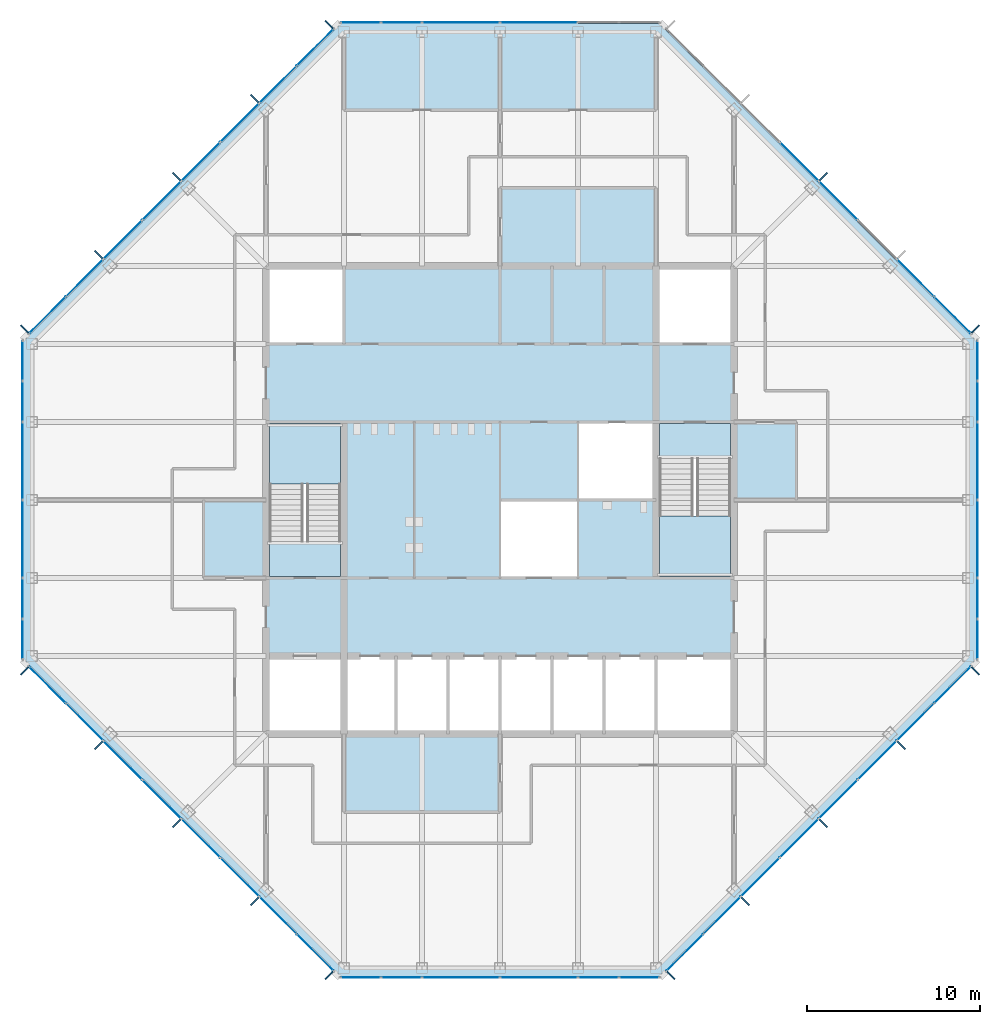
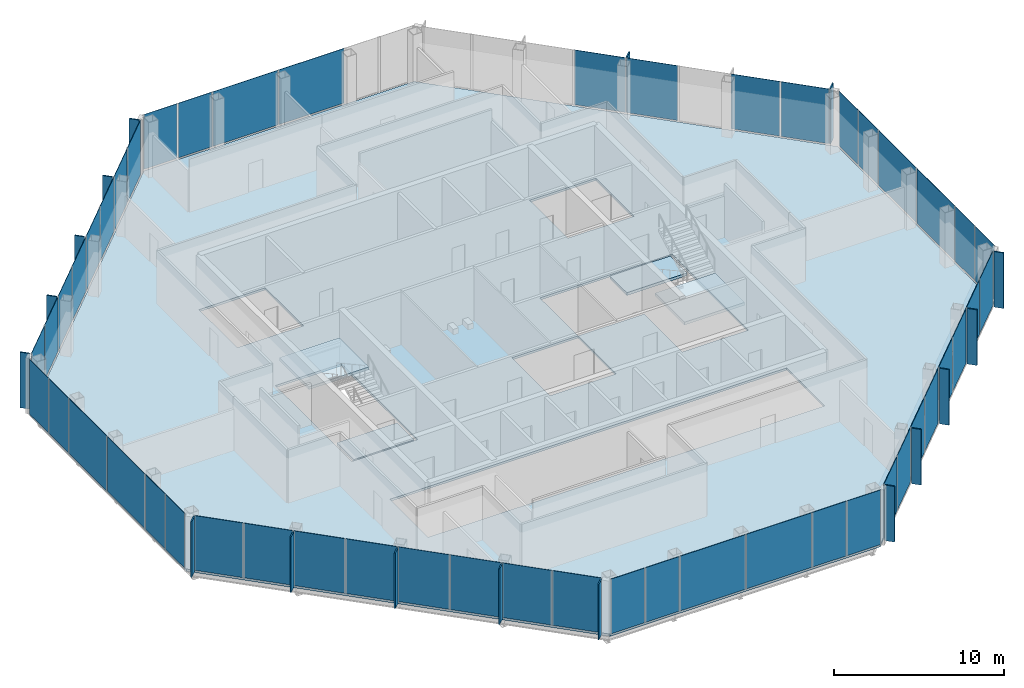
# One storey, part 8 of 13: 67 plates, 5 slabs, 10 elements without a shape of their own.
"""IFC4 building model written with IfcOpenShell, lengths in metres."""

from ifc_helpers import new_model, si_unit, direction, frame, origin, origin_2d, place, context, subcontext, project, spatial, polyline, rectangle, outline, extrude, material, layer, layer_set, type_object, element, aggregate, save


model = new_model("IFC4")

# Units and contexts
model_context = context("Model", 3, precision=1e-05, world=origin(), true_north=direction((0.0, 1.0)))
body_context = subcontext(model_context, "Body", "Model", "MODEL_VIEW")
ifc_project = project(units=[si_unit("LENGTHUNIT", "METRE"), si_unit("AREAUNIT", "SQUARE_METRE"), si_unit("VOLUMEUNIT", "CUBIC_METRE"), si_unit("PLANEANGLEUNIT", "RADIAN"), si_unit("MASSUNIT", "GRAM", prefix="KILO")], contexts=[model_context])

# Site, building, storey
site_placement = place(None, origin())
site = spatial("IfcSite", under=ifc_project, at=site_placement, CompositionType="ELEMENT")
building_placement = place(site_placement, origin())
building = spatial("IfcBuilding", under=site, at=building_placement, Name="Corais Broadcast Tower", CompositionType="ELEMENT")
storey_placement = place(building_placement, frame((0.0, 0.0, 238.60009765625)))
storey = spatial("IfcBuildingStorey", under=building, at=storey_placement, Name="L55", CompositionType="ELEMENT", Elevation=238.60009765625)

# Slab
ifc_material_1 = material(Name="Concrete C30/37", Category="concrete")
ifc_layer_1 = layer(ifc_material_1, 0.159912109375)
ifc_layer_set_1 = layer_set([ifc_layer_1], Name="Concrete C30/37")
slab_type_1 = type_object("IfcSlabType", Name="Composite floor slab 160", PredefinedType="FLOOR", material=ifc_layer_set_1)
slab_1_placement = place(storey_placement, frame((0.0, 0.0, -0.16015625)))
element("IfcSlab", 1, at=slab_1_placement, inside=storey, type_object=slab_type_1, Name="S160 floor slab L55", PredefinedType="FLOOR", context=body_context, shape_type="SweptSolid", body=[
    extrude(outline(polyline([(17.80126953125, -0.47998046875), (-0.47998046875, 17.80126953125), (-0.47998046875, 36.19873046875), (17.80126953125, 54.47998046875), (36.19873046875, 54.47998046875), (54.47998046875, 36.19873046875), (54.47998046875, 17.80126953125), (36.19873046875, -0.47998046875), (17.80126953125, -0.47998046875)]), holes=[polyline([(13.5, 18.0), (40.5, 18.0), (40.5, 13.5), (13.5, 13.5), (13.5, 18.0)]), polyline([(18.0, 22.5), (13.5, 22.5), (13.5, 31.5), (18.0, 31.5), (18.0, 22.5)]), polyline([(18.0, 36.0), (13.5, 36.0), (13.5, 40.5), (18.0, 40.5), (18.0, 36.0)]), polyline([(31.5, 22.5), (27.0, 22.5), (27.0, 27.0), (31.4951171875, 27.0), (31.4951171875, 27.0048828125), (31.5, 27.0048828125), (31.5, 31.5), (40.5, 31.5), (40.5, 22.5), (36.0, 22.5), (36.0, 27.0), (31.5048828125, 27.0), (31.5048828125, 26.9951171875), (31.5, 26.9951171875), (31.5, 22.5)]), polyline([(40.5, 36.0), (36.0, 36.0), (36.0, 40.5), (40.5, 40.5), (40.5, 36.0)])]), origin(), (0.0, 0.0, 1.0), 0.16015625),
])

# Curtain wall, plates
ifc_material_2 = material(Name="Aluminium and glass", Category="aluminium")
curtain_wall_type = type_object("IfcCurtainWallType", Name="Unitised fritted curtain wall CW3", PredefinedType="NOTDEFINED", material=ifc_material_2)
curtain_wall_1_placement = place(storey_placement, origin())
curtain_wall_1 = element("IfcCurtainWall", 2, at=curtain_wall_1_placement, inside=storey, type_object=curtain_wall_type, Name="CW3 curtain wall L55 1", PredefinedType="NOTDEFINED")
ifc_material_3 = material(Name="Ceramic-fritted laminated glass", Category="glass")
ifc_layer_2 = layer(ifc_material_3, 0.02587890625)
ifc_layer_set_2 = layer_set([ifc_layer_2], Name="Ceramic-fritted laminated glass")
plate_type_1 = type_object("IfcPlateType", Name="Fritted glass panel CW3", PredefinedType="CURTAIN_PANEL", material=ifc_layer_set_2)
plate_1_placement = place(storey_placement, frame((16.330322265625, 0.891845703125, 0.06494140625), z_axis=(0.0, 0.0, 1.0), x_axis=(-0.707106781187, 0.707106781187, 0.0)))
plate_1 = element("IfcPlate", 3, at=plate_1_placement, type_object=plate_type_1, Name="CW3 panel 1", PredefinedType="CURTAIN_PANEL", context=body_context, shape_type="SweptSolid", body=[
    extrude(rectangle(XDim=2.9482421875, YDim=0.02587890625, at=origin_2d()), origin(), (0.0, 0.0, 1.0), 3.93505859375),
])
plate_2_placement = place(storey_placement, frame((11.986083984375, 5.236083984375, 0.06494140625), z_axis=(0.0, 0.0, 1.0), x_axis=(-0.707106781187, 0.707106781187, 0.0)))
plate_2 = element("IfcPlate", 4, at=plate_2_placement, type_object=plate_type_1, Name="CW3 panel 3", PredefinedType="CURTAIN_PANEL", context=body_context, shape_type="SweptSolid", body=[
    extrude(rectangle(XDim=3.116943359375, YDim=0.02587890625, at=origin_2d()), origin(), (0.0, 0.0, 1.0), 3.93505859375),
])
plate_3_placement = place(storey_placement, frame((7.486083984375, 9.736083984375, 0.06494140625), z_axis=(0.0, 0.0, 1.0), x_axis=(-0.707106781187, 0.707106781187, 0.0)))
plate_3 = element("IfcPlate", 5, at=plate_3_placement, type_object=plate_type_1, Name="CW3 panel 5", PredefinedType="CURTAIN_PANEL", context=body_context, shape_type="SweptSolid", body=[
    extrude(rectangle(XDim=3.116943359375, YDim=0.02587890625, at=origin_2d()), origin(), (0.0, 0.0, 1.0), 3.93505859375),
])
plate_4_placement = place(storey_placement, frame((3.0341796875, 14.18798828125, 0.06494140625), z_axis=(0.0, 0.0, 1.0), x_axis=(-0.707106781187, 0.707106781187, 0.0)))
plate_4 = element("IfcPlate", 6, at=plate_4_placement, type_object=plate_type_1, Name="CW3 panel 7", PredefinedType="CURTAIN_PANEL", context=body_context, shape_type="SweptSolid", body=[
    extrude(rectangle(XDim=2.98095703125, YDim=0.02587890625, at=origin_2d()), origin(), (0.0, 0.0, 1.0), 3.93505859375),
])

curtain_wall_2_placement = place(storey_placement, origin())
curtain_wall_2 = element("IfcCurtainWall", 7, at=curtain_wall_2_placement, inside=storey, type_object=curtain_wall_type, Name="CW3 curtain wall L55 2", PredefinedType="NOTDEFINED")
plate_5_placement = place(storey_placement, frame((-0.550048828125, 18.970458984375, 0.06494140625), z_axis=(0.0, 0.0, 1.0), x_axis=(0.0, 1.0, 0.0)))
plate_5 = element("IfcPlate", 8, at=plate_5_placement, type_object=plate_type_1, Name="CW3 panel 1", PredefinedType="CURTAIN_PANEL", context=body_context, shape_type="SweptSolid", body=[
    extrude(rectangle(XDim=2.266357421875, YDim=0.02587890625, at=origin_2d()), origin(), (0.0, 0.0, 1.0), 3.93505859375),
])
plate_6_placement = place(storey_placement, frame((-0.550048828125, 24.75, 0.06494140625), z_axis=(0.0, 0.0, 1.0), x_axis=(0.0, 1.0, 0.0)))
plate_6 = element("IfcPlate", 9, at=plate_6_placement, type_object=plate_type_1, Name="CW3 panel 3", PredefinedType="CURTAIN_PANEL", context=body_context, shape_type="SweptSolid", body=[
    extrude(rectangle(XDim=4.43505859375, YDim=0.02587890625, at=origin_2d()), origin(), (0.0, 0.0, 1.0), 3.93505859375),
])
plate_7_placement = place(storey_placement, frame((-0.550048828125, 32.681884765625, 0.06494140625), z_axis=(0.0, 0.0, 1.0), x_axis=(0.0, 1.0, 0.0)))
plate_7 = element("IfcPlate", 10, at=plate_7_placement, type_object=plate_type_1, Name="CW3 panel 5", PredefinedType="CURTAIN_PANEL", context=body_context, shape_type="SweptSolid", body=[
    extrude(rectangle(XDim=2.298828125, YDim=0.02587890625, at=origin_2d()), origin(), (0.0, 0.0, 1.0), 3.93505859375),
])

curtain_wall_3_placement = place(storey_placement, origin())
curtain_wall_3 = element("IfcCurtainWall", 11, at=curtain_wall_3_placement, inside=storey, type_object=curtain_wall_type, Name="CW3 curtain wall L55 3", PredefinedType="NOTDEFINED")
plate_8_placement = place(storey_placement, frame((0.891845703125, 37.669677734375, 0.06494140625), z_axis=(0.0, 0.0, 1.0), x_axis=(0.707106781187, 0.707106781187, 0.0)))
plate_8 = element("IfcPlate", 12, at=plate_8_placement, type_object=plate_type_1, Name="CW3 panel 1", PredefinedType="CURTAIN_PANEL", context=body_context, shape_type="SweptSolid", body=[
    extrude(rectangle(XDim=2.9482421875, YDim=0.02587890625, at=origin_2d()), origin(), (0.0, 0.0, 1.0), 3.93505859375),
])
plate_9_placement = place(storey_placement, frame((5.236083984375, 42.013916015625, 0.06494140625), z_axis=(0.0, 0.0, 1.0), x_axis=(0.707106781187, 0.707106781187, 0.0)))
plate_9 = element("IfcPlate", 13, at=plate_9_placement, type_object=plate_type_1, Name="CW3 panel 3", PredefinedType="CURTAIN_PANEL", context=body_context, shape_type="SweptSolid", body=[
    extrude(rectangle(XDim=3.116943359375, YDim=0.02587890625, at=origin_2d()), origin(), (0.0, 0.0, 1.0), 3.93505859375),
])
plate_10_placement = place(storey_placement, frame((9.736083984375, 46.513916015625, 0.06494140625), z_axis=(0.0, 0.0, 1.0), x_axis=(0.707106781187, 0.707106781187, 0.0)))
plate_10 = element("IfcPlate", 14, at=plate_10_placement, type_object=plate_type_1, Name="CW3 panel 5", PredefinedType="CURTAIN_PANEL", context=body_context, shape_type="SweptSolid", body=[
    extrude(rectangle(XDim=3.116943359375, YDim=0.02587890625, at=origin_2d()), origin(), (0.0, 0.0, 1.0), 3.93505859375),
])
plate_11_placement = place(storey_placement, frame((14.18798828125, 50.9658203125, 0.06494140625), z_axis=(0.0, 0.0, 1.0), x_axis=(0.707106781187, 0.707106781187, 0.0)))
plate_11 = element("IfcPlate", 15, at=plate_11_placement, type_object=plate_type_1, Name="CW3 panel 7", PredefinedType="CURTAIN_PANEL", context=body_context, shape_type="SweptSolid", body=[
    extrude(rectangle(XDim=2.98095703125, YDim=0.02587890625, at=origin_2d()), origin(), (0.0, 0.0, 1.0), 3.93505859375),
])

curtain_wall_4_placement = place(storey_placement, origin())
curtain_wall_4 = element("IfcCurtainWall", 16, at=curtain_wall_4_placement, inside=storey, type_object=curtain_wall_type, Name="CW3 curtain wall L55 4", PredefinedType="NOTDEFINED")
plate_12_placement = place(storey_placement, frame((18.970458984375, 54.550048828125, 0.06494140625), z_axis=(0.0, 0.0, 1.0), x_axis=(1.0, 0.0, 0.0)))
plate_12 = element("IfcPlate", 17, at=plate_12_placement, type_object=plate_type_1, Name="CW3 panel 1", PredefinedType="CURTAIN_PANEL", context=body_context, shape_type="SweptSolid", body=[
    extrude(rectangle(XDim=2.266357421875, YDim=0.02587890625, at=origin_2d()), origin(), (0.0, 0.0, 1.0), 3.93505859375),
])
plate_13_placement = place(storey_placement, frame((24.75, 54.550048828125, 0.06494140625), z_axis=(0.0, 0.0, 1.0), x_axis=(1.0, 0.0, 0.0)))
plate_13 = element("IfcPlate", 18, at=plate_13_placement, type_object=plate_type_1, Name="CW3 panel 3", PredefinedType="CURTAIN_PANEL", context=body_context, shape_type="SweptSolid", body=[
    extrude(rectangle(XDim=4.43505859375, YDim=0.02587890625, at=origin_2d()), origin(), (0.0, 0.0, 1.0), 3.93505859375),
])

curtain_wall_5_placement = place(storey_placement, origin())
curtain_wall_5 = element("IfcCurtainWall", 19, at=curtain_wall_5_placement, inside=storey, type_object=curtain_wall_type, Name="CW3 curtain wall L55 5", PredefinedType="NOTDEFINED")
plate_14_placement = place(storey_placement, frame((46.513916015625, 44.263916015625, 0.06494140625), z_axis=(0.0, 0.0, 1.0), x_axis=(0.707106781187, -0.707106781187, 0.0)))
plate_14 = element("IfcPlate", 20, at=plate_14_placement, type_object=plate_type_1, Name="CW3 panel 5", PredefinedType="CURTAIN_PANEL", context=body_context, shape_type="SweptSolid", body=[
    extrude(rectangle(XDim=3.116943359375, YDim=0.02587890625, at=origin_2d()), origin(), (0.0, 0.0, 1.0), 3.93505859375),
])
plate_15_placement = place(storey_placement, frame((50.9658203125, 39.81201171875, 0.06494140625), z_axis=(0.0, 0.0, 1.0), x_axis=(0.707106781187, -0.707106781187, 0.0)))
plate_15 = element("IfcPlate", 21, at=plate_15_placement, type_object=plate_type_1, Name="CW3 panel 7", PredefinedType="CURTAIN_PANEL", context=body_context, shape_type="SweptSolid", body=[
    extrude(rectangle(XDim=2.98095703125, YDim=0.02587890625, at=origin_2d()), origin(), (0.0, 0.0, 1.0), 3.93505859375),
])

curtain_wall_6_placement = place(storey_placement, origin())
curtain_wall_6 = element("IfcCurtainWall", 22, at=curtain_wall_6_placement, inside=storey, type_object=curtain_wall_type, Name="CW3 curtain wall L55 6", PredefinedType="NOTDEFINED")
plate_16_placement = place(storey_placement, frame((54.550048828125, 35.029541015625, 0.06494140625), z_axis=(0.0, 0.0, 1.0), x_axis=(0.0, -1.0, 0.0)))
plate_16 = element("IfcPlate", 23, at=plate_16_placement, type_object=plate_type_1, Name="CW3 panel 1", PredefinedType="CURTAIN_PANEL", context=body_context, shape_type="SweptSolid", body=[
    extrude(rectangle(XDim=2.266357421875, YDim=0.02587890625, at=origin_2d()), origin(), (0.0, 0.0, 1.0), 3.93505859375),
])
plate_17_placement = place(storey_placement, frame((54.550048828125, 29.25, 0.06494140625), z_axis=(0.0, 0.0, 1.0), x_axis=(0.0, -1.0, 0.0)))
plate_17 = element("IfcPlate", 24, at=plate_17_placement, type_object=plate_type_1, Name="CW3 panel 3", PredefinedType="CURTAIN_PANEL", context=body_context, shape_type="SweptSolid", body=[
    extrude(rectangle(XDim=4.43505859375, YDim=0.02587890625, at=origin_2d()), origin(), (0.0, 0.0, 1.0), 3.93505859375),
])
plate_18_placement = place(storey_placement, frame((54.550048828125, 21.318115234375, 0.06494140625), z_axis=(0.0, 0.0, 1.0), x_axis=(0.0, -1.0, 0.0)))
plate_18 = element("IfcPlate", 25, at=plate_18_placement, type_object=plate_type_1, Name="CW3 panel 5", PredefinedType="CURTAIN_PANEL", context=body_context, shape_type="SweptSolid", body=[
    extrude(rectangle(XDim=2.298828125, YDim=0.02587890625, at=origin_2d()), origin(), (0.0, 0.0, 1.0), 3.93505859375),
])

curtain_wall_7_placement = place(storey_placement, origin())
curtain_wall_7 = element("IfcCurtainWall", 26, at=curtain_wall_7_placement, inside=storey, type_object=curtain_wall_type, Name="CW3 curtain wall L55 7", PredefinedType="NOTDEFINED")
plate_19_placement = place(storey_placement, frame((53.108154296875, 16.330322265625, 0.06494140625), z_axis=(0.0, 0.0, 1.0), x_axis=(-0.707106781187, -0.707106781187, 0.0)))
plate_19 = element("IfcPlate", 27, at=plate_19_placement, type_object=plate_type_1, Name="CW3 panel 1", PredefinedType="CURTAIN_PANEL", context=body_context, shape_type="SweptSolid", body=[
    extrude(rectangle(XDim=2.9482421875, YDim=0.02587890625, at=origin_2d()), origin(), (0.0, 0.0, 1.0), 3.93505859375),
])
plate_20_placement = place(storey_placement, frame((48.763916015625, 11.986083984375, 0.06494140625), z_axis=(0.0, 0.0, 1.0), x_axis=(-0.707106781187, -0.707106781187, 0.0)))
plate_20 = element("IfcPlate", 28, at=plate_20_placement, type_object=plate_type_1, Name="CW3 panel 3", PredefinedType="CURTAIN_PANEL", context=body_context, shape_type="SweptSolid", body=[
    extrude(rectangle(XDim=3.116943359375, YDim=0.02587890625, at=origin_2d()), origin(), (0.0, 0.0, 1.0), 3.93505859375),
])
plate_21_placement = place(storey_placement, frame((44.263916015625, 7.486083984375, 0.06494140625), z_axis=(0.0, 0.0, 1.0), x_axis=(-0.707106781187, -0.707106781187, 0.0)))
plate_21 = element("IfcPlate", 29, at=plate_21_placement, type_object=plate_type_1, Name="CW3 panel 5", PredefinedType="CURTAIN_PANEL", context=body_context, shape_type="SweptSolid", body=[
    extrude(rectangle(XDim=3.116943359375, YDim=0.02587890625, at=origin_2d()), origin(), (0.0, 0.0, 1.0), 3.93505859375),
])
plate_22_placement = place(storey_placement, frame((39.81201171875, 3.0341796875, 0.06494140625), z_axis=(0.0, 0.0, 1.0), x_axis=(-0.707106781187, -0.707106781187, 0.0)))
plate_22 = element("IfcPlate", 30, at=plate_22_placement, type_object=plate_type_1, Name="CW3 panel 7", PredefinedType="CURTAIN_PANEL", context=body_context, shape_type="SweptSolid", body=[
    extrude(rectangle(XDim=2.98095703125, YDim=0.02587890625, at=origin_2d()), origin(), (0.0, 0.0, 1.0), 3.93505859375),
])

curtain_wall_8_placement = place(storey_placement, origin())
curtain_wall_8 = element("IfcCurtainWall", 31, at=curtain_wall_8_placement, inside=storey, type_object=curtain_wall_type, Name="CW3 curtain wall L55 8", PredefinedType="NOTDEFINED")
plate_23_placement = place(storey_placement, frame((35.029541015625, -0.550048828125, 0.06494140625), z_axis=(0.0, 0.0, 1.0), x_axis=(-1.0, 0.0, 0.0)))
plate_23 = element("IfcPlate", 32, at=plate_23_placement, type_object=plate_type_1, Name="CW3 panel 1", PredefinedType="CURTAIN_PANEL", context=body_context, shape_type="SweptSolid", body=[
    extrude(rectangle(XDim=2.266357421875, YDim=0.02587890625, at=origin_2d()), origin(), (0.0, 0.0, 1.0), 3.93505859375),
])
plate_24_placement = place(storey_placement, frame((29.25, -0.550048828125, 0.06494140625), z_axis=(0.0, 0.0, 1.0), x_axis=(-1.0, 0.0, 0.0)))
plate_24 = element("IfcPlate", 33, at=plate_24_placement, type_object=plate_type_1, Name="CW3 panel 3", PredefinedType="CURTAIN_PANEL", context=body_context, shape_type="SweptSolid", body=[
    extrude(rectangle(XDim=4.43505859375, YDim=0.02587890625, at=origin_2d()), origin(), (0.0, 0.0, 1.0), 3.93505859375),
])
plate_25_placement = place(storey_placement, frame((21.318115234375, -0.550048828125, 0.06494140625), z_axis=(0.0, 0.0, 1.0), x_axis=(-1.0, 0.0, 0.0)))
plate_25 = element("IfcPlate", 34, at=plate_25_placement, type_object=plate_type_1, Name="CW3 panel 5", PredefinedType="CURTAIN_PANEL", context=body_context, shape_type="SweptSolid", body=[
    extrude(rectangle(XDim=2.298828125, YDim=0.02587890625, at=origin_2d()), origin(), (0.0, 0.0, 1.0), 3.93505859375),
])

# Plate
ifc_material_4 = material(Name="Clear laminated glass", Category="glass")
ifc_layer_3 = layer(ifc_material_4, 0.030029296875)
ifc_layer_set_3 = layer_set([ifc_layer_3], Name="Clear laminated glass")
plate_type_2 = type_object("IfcPlateType", Name="Operable glass panel CW3", PredefinedType="CURTAIN_PANEL", material=ifc_layer_set_3)
plate_26_placement = place(storey_placement, frame((14.18798828125, 3.0341796875, 0.06494140625), z_axis=(0.0, 0.0, 1.0), x_axis=(-0.707106781187, 0.707106781187, 0.0)))
plate_26 = element("IfcPlate", 35, at=plate_26_placement, type_object=plate_type_2, Name="CW3 operable panel 2", PredefinedType="CURTAIN_PANEL", context=body_context, shape_type="SweptSolid", body=[
    extrude(rectangle(XDim=2.98095703125, YDim=0.030029296875, at=origin_2d()), origin(), (0.0, 0.0, 1.0), 3.93505859375),
])

plate_27_placement = place(storey_placement, frame((9.736083984375, 7.486083984375, 0.06494140625), z_axis=(0.0, 0.0, 1.0), x_axis=(-0.707106781187, 0.707106781187, 0.0)))
plate_27 = element("IfcPlate", 36, at=plate_27_placement, type_object=plate_type_2, Name="CW3 operable panel 4", PredefinedType="CURTAIN_PANEL", context=body_context, shape_type="SweptSolid", body=[
    extrude(rectangle(XDim=3.116943359375, YDim=0.030029296875, at=origin_2d()), origin(), (0.0, 0.0, 1.0), 3.93505859375),
])

plate_28_placement = place(storey_placement, frame((5.236083984375, 11.986083984375, 0.06494140625), z_axis=(0.0, 0.0, 1.0), x_axis=(-0.707106781187, 0.707106781187, 0.0)))
plate_28 = element("IfcPlate", 37, at=plate_28_placement, type_object=plate_type_2, Name="CW3 operable panel 6", PredefinedType="CURTAIN_PANEL", context=body_context, shape_type="SweptSolid", body=[
    extrude(rectangle(XDim=3.116943359375, YDim=0.030029296875, at=origin_2d()), origin(), (0.0, 0.0, 1.0), 3.93505859375),
])

plate_29_placement = place(storey_placement, frame((0.89208984375, 16.330322265625, 0.06494140625), z_axis=(0.0, 0.0, 1.0), x_axis=(-0.707106781187, 0.707106781187, 0.0)))
plate_29 = element("IfcPlate", 38, at=plate_29_placement, type_object=plate_type_2, Name="CW3 operable panel 8", PredefinedType="CURTAIN_PANEL", context=body_context, shape_type="SweptSolid", body=[
    extrude(rectangle(XDim=2.948486328125, YDim=0.030029296875, at=origin_2d()), origin(), (0.0, 0.0, 1.0), 3.93505859375),
])

aggregate(curtain_wall_1, [plate_1, plate_26, plate_2, plate_27, plate_3, plate_28, plate_4, plate_29])

plate_30_placement = place(storey_placement, frame((-0.550048828125, 21.318115234375, 0.06494140625), z_axis=(0.0, 0.0, 1.0), x_axis=(0.0, 1.0, 0.0)))
plate_30 = element("IfcPlate", 39, at=plate_30_placement, type_object=plate_type_2, Name="CW3 operable panel 2", PredefinedType="CURTAIN_PANEL", context=body_context, shape_type="SweptSolid", body=[
    extrude(rectangle(XDim=2.298828125, YDim=0.030029296875, at=origin_2d()), origin(), (0.0, 0.0, 1.0), 3.93505859375),
])

plate_31_placement = place(storey_placement, frame((-0.550048828125, 29.25, 0.06494140625), z_axis=(0.0, 0.0, 1.0), x_axis=(0.0, 1.0, 0.0)))
plate_31 = element("IfcPlate", 40, at=plate_31_placement, type_object=plate_type_2, Name="CW3 operable panel 4", PredefinedType="CURTAIN_PANEL", context=body_context, shape_type="SweptSolid", body=[
    extrude(rectangle(XDim=4.43505859375, YDim=0.030029296875, at=origin_2d()), origin(), (0.0, 0.0, 1.0), 3.93505859375),
])

plate_32_placement = place(storey_placement, frame((-0.550048828125, 35.029541015625, 0.06494140625), z_axis=(0.0, 0.0, 1.0), x_axis=(0.0, 1.0, 0.0)))
plate_32 = element("IfcPlate", 41, at=plate_32_placement, type_object=plate_type_2, Name="CW3 operable panel 6", PredefinedType="CURTAIN_PANEL", context=body_context, shape_type="SweptSolid", body=[
    extrude(rectangle(XDim=2.266357421875, YDim=0.030029296875, at=origin_2d()), origin(), (0.0, 0.0, 1.0), 3.93505859375),
])

aggregate(curtain_wall_2, [plate_5, plate_30, plate_6, plate_31, plate_7, plate_32])

plate_33_placement = place(storey_placement, frame((3.0341796875, 39.81201171875, 0.06494140625), z_axis=(0.0, 0.0, 1.0), x_axis=(0.707106781187, 0.707106781187, 0.0)))
plate_33 = element("IfcPlate", 42, at=plate_33_placement, type_object=plate_type_2, Name="CW3 operable panel 2", PredefinedType="CURTAIN_PANEL", context=body_context, shape_type="SweptSolid", body=[
    extrude(rectangle(XDim=2.98095703125, YDim=0.030029296875, at=origin_2d()), origin(), (0.0, 0.0, 1.0), 3.93505859375),
])

plate_34_placement = place(storey_placement, frame((7.486083984375, 44.263916015625, 0.06494140625), z_axis=(0.0, 0.0, 1.0), x_axis=(0.707106781187, 0.707106781187, 0.0)))
plate_34 = element("IfcPlate", 43, at=plate_34_placement, type_object=plate_type_2, Name="CW3 operable panel 4", PredefinedType="CURTAIN_PANEL", context=body_context, shape_type="SweptSolid", body=[
    extrude(rectangle(XDim=3.116943359375, YDim=0.030029296875, at=origin_2d()), origin(), (0.0, 0.0, 1.0), 3.93505859375),
])

plate_35_placement = place(storey_placement, frame((11.986083984375, 48.763916015625, 0.06494140625), z_axis=(0.0, 0.0, 1.0), x_axis=(0.707106781187, 0.707106781187, 0.0)))
plate_35 = element("IfcPlate", 44, at=plate_35_placement, type_object=plate_type_2, Name="CW3 operable panel 6", PredefinedType="CURTAIN_PANEL", context=body_context, shape_type="SweptSolid", body=[
    extrude(rectangle(XDim=3.116943359375, YDim=0.030029296875, at=origin_2d()), origin(), (0.0, 0.0, 1.0), 3.93505859375),
])

plate_36_placement = place(storey_placement, frame((16.330322265625, 53.10791015625, 0.06494140625), z_axis=(0.0, 0.0, 1.0), x_axis=(0.707106781187, 0.707106781187, 0.0)))
plate_36 = element("IfcPlate", 45, at=plate_36_placement, type_object=plate_type_2, Name="CW3 operable panel 8", PredefinedType="CURTAIN_PANEL", context=body_context, shape_type="SweptSolid", body=[
    extrude(rectangle(XDim=2.948486328125, YDim=0.030029296875, at=origin_2d()), origin(), (0.0, 0.0, 1.0), 3.93505859375),
])

aggregate(curtain_wall_3, [plate_8, plate_33, plate_9, plate_34, plate_10, plate_35, plate_11, plate_36])

plate_37_placement = place(storey_placement, frame((21.318115234375, 54.550048828125, 0.06494140625), z_axis=(0.0, 0.0, 1.0), x_axis=(1.0, 0.0, 0.0)))
plate_37 = element("IfcPlate", 46, at=plate_37_placement, type_object=plate_type_2, Name="CW3 operable panel 2", PredefinedType="CURTAIN_PANEL", context=body_context, shape_type="SweptSolid", body=[
    extrude(rectangle(XDim=2.298828125, YDim=0.030029296875, at=origin_2d()), origin(), (0.0, 0.0, 1.0), 3.93505859375),
])

plate_38_placement = place(storey_placement, frame((29.25, 54.550048828125, 0.06494140625), z_axis=(0.0, 0.0, 1.0), x_axis=(1.0, 0.0, 0.0)))
plate_38 = element("IfcPlate", 47, at=plate_38_placement, type_object=plate_type_2, Name="CW3 operable panel 4", PredefinedType="CURTAIN_PANEL", context=body_context, shape_type="SweptSolid", body=[
    extrude(rectangle(XDim=4.43505859375, YDim=0.030029296875, at=origin_2d()), origin(), (0.0, 0.0, 1.0), 3.93505859375),
])

aggregate(curtain_wall_4, [plate_12, plate_37, plate_13, plate_38])

plate_39_placement = place(storey_placement, frame((44.263916015625, 46.513916015625, 0.06494140625), z_axis=(0.0, 0.0, 1.0), x_axis=(0.707106781187, -0.707106781187, 0.0)))
plate_39 = element("IfcPlate", 48, at=plate_39_placement, type_object=plate_type_2, Name="CW3 operable panel 4", PredefinedType="CURTAIN_PANEL", context=body_context, shape_type="SweptSolid", body=[
    extrude(rectangle(XDim=3.116943359375, YDim=0.030029296875, at=origin_2d()), origin(), (0.0, 0.0, 1.0), 3.93505859375),
])

plate_40_placement = place(storey_placement, frame((53.10791015625, 37.669677734375, 0.06494140625), z_axis=(0.0, 0.0, 1.0), x_axis=(0.707106781187, -0.707106781187, 0.0)))
plate_40 = element("IfcPlate", 49, at=plate_40_placement, type_object=plate_type_2, Name="CW3 operable panel 8", PredefinedType="CURTAIN_PANEL", context=body_context, shape_type="SweptSolid", body=[
    extrude(rectangle(XDim=2.948486328125, YDim=0.030029296875, at=origin_2d()), origin(), (0.0, 0.0, 1.0), 3.93505859375),
])

aggregate(curtain_wall_5, [plate_39, plate_14, plate_15, plate_40])

plate_41_placement = place(storey_placement, frame((54.550048828125, 32.681884765625, 0.06494140625), z_axis=(0.0, 0.0, 1.0), x_axis=(0.0, -1.0, 0.0)))
plate_41 = element("IfcPlate", 50, at=plate_41_placement, type_object=plate_type_2, Name="CW3 operable panel 2", PredefinedType="CURTAIN_PANEL", context=body_context, shape_type="SweptSolid", body=[
    extrude(rectangle(XDim=2.298828125, YDim=0.030029296875, at=origin_2d()), origin(), (0.0, 0.0, 1.0), 3.93505859375),
])

plate_42_placement = place(storey_placement, frame((54.550048828125, 24.75, 0.06494140625), z_axis=(0.0, 0.0, 1.0), x_axis=(0.0, -1.0, 0.0)))
plate_42 = element("IfcPlate", 51, at=plate_42_placement, type_object=plate_type_2, Name="CW3 operable panel 4", PredefinedType="CURTAIN_PANEL", context=body_context, shape_type="SweptSolid", body=[
    extrude(rectangle(XDim=4.43505859375, YDim=0.030029296875, at=origin_2d()), origin(), (0.0, 0.0, 1.0), 3.93505859375),
])

plate_43_placement = place(storey_placement, frame((54.550048828125, 18.970458984375, 0.06494140625), z_axis=(0.0, 0.0, 1.0), x_axis=(0.0, -1.0, 0.0)))
plate_43 = element("IfcPlate", 52, at=plate_43_placement, type_object=plate_type_2, Name="CW3 operable panel 6", PredefinedType="CURTAIN_PANEL", context=body_context, shape_type="SweptSolid", body=[
    extrude(rectangle(XDim=2.266357421875, YDim=0.030029296875, at=origin_2d()), origin(), (0.0, 0.0, 1.0), 3.93505859375),
])

aggregate(curtain_wall_6, [plate_16, plate_41, plate_17, plate_42, plate_18, plate_43])

plate_44_placement = place(storey_placement, frame((50.9658203125, 14.18798828125, 0.06494140625), z_axis=(0.0, 0.0, 1.0), x_axis=(-0.707106781187, -0.707106781187, 0.0)))
plate_44 = element("IfcPlate", 53, at=plate_44_placement, type_object=plate_type_2, Name="CW3 operable panel 2", PredefinedType="CURTAIN_PANEL", context=body_context, shape_type="SweptSolid", body=[
    extrude(rectangle(XDim=2.98095703125, YDim=0.030029296875, at=origin_2d()), origin(), (0.0, 0.0, 1.0), 3.93505859375),
])

plate_45_placement = place(storey_placement, frame((46.513916015625, 9.736083984375, 0.06494140625), z_axis=(0.0, 0.0, 1.0), x_axis=(-0.707106781187, -0.707106781187, 0.0)))
plate_45 = element("IfcPlate", 54, at=plate_45_placement, type_object=plate_type_2, Name="CW3 operable panel 4", PredefinedType="CURTAIN_PANEL", context=body_context, shape_type="SweptSolid", body=[
    extrude(rectangle(XDim=3.116943359375, YDim=0.030029296875, at=origin_2d()), origin(), (0.0, 0.0, 1.0), 3.93505859375),
])

plate_46_placement = place(storey_placement, frame((42.013916015625, 5.236083984375, 0.06494140625), z_axis=(0.0, 0.0, 1.0), x_axis=(-0.707106781187, -0.707106781187, 0.0)))
plate_46 = element("IfcPlate", 55, at=plate_46_placement, type_object=plate_type_2, Name="CW3 operable panel 6", PredefinedType="CURTAIN_PANEL", context=body_context, shape_type="SweptSolid", body=[
    extrude(rectangle(XDim=3.116943359375, YDim=0.030029296875, at=origin_2d()), origin(), (0.0, 0.0, 1.0), 3.93505859375),
])

plate_47_placement = place(storey_placement, frame((37.669677734375, 0.89208984375, 0.06494140625), z_axis=(0.0, 0.0, 1.0), x_axis=(-0.707106781187, -0.707106781187, 0.0)))
plate_47 = element("IfcPlate", 56, at=plate_47_placement, type_object=plate_type_2, Name="CW3 operable panel 8", PredefinedType="CURTAIN_PANEL", context=body_context, shape_type="SweptSolid", body=[
    extrude(rectangle(XDim=2.948486328125, YDim=0.030029296875, at=origin_2d()), origin(), (0.0, 0.0, 1.0), 3.93505859375),
])

aggregate(curtain_wall_7, [plate_19, plate_44, plate_20, plate_45, plate_21, plate_46, plate_22, plate_47])

plate_48_placement = place(storey_placement, frame((32.681884765625, -0.550048828125, 0.06494140625), z_axis=(0.0, 0.0, 1.0), x_axis=(-1.0, 0.0, 0.0)))
plate_48 = element("IfcPlate", 57, at=plate_48_placement, type_object=plate_type_2, Name="CW3 operable panel 2", PredefinedType="CURTAIN_PANEL", context=body_context, shape_type="SweptSolid", body=[
    extrude(rectangle(XDim=2.298828125, YDim=0.030029296875, at=origin_2d()), origin(), (0.0, 0.0, 1.0), 3.93505859375),
])

plate_49_placement = place(storey_placement, frame((24.75, -0.550048828125, 0.06494140625), z_axis=(0.0, 0.0, 1.0), x_axis=(-1.0, 0.0, 0.0)))
plate_49 = element("IfcPlate", 58, at=plate_49_placement, type_object=plate_type_2, Name="CW3 operable panel 4", PredefinedType="CURTAIN_PANEL", context=body_context, shape_type="SweptSolid", body=[
    extrude(rectangle(XDim=4.43505859375, YDim=0.030029296875, at=origin_2d()), origin(), (0.0, 0.0, 1.0), 3.93505859375),
])

plate_50_placement = place(storey_placement, frame((18.970458984375, -0.550048828125, 0.06494140625), z_axis=(0.0, 0.0, 1.0), x_axis=(-1.0, 0.0, 0.0)))
plate_50 = element("IfcPlate", 59, at=plate_50_placement, type_object=plate_type_2, Name="CW3 operable panel 6", PredefinedType="CURTAIN_PANEL", context=body_context, shape_type="SweptSolid", body=[
    extrude(rectangle(XDim=2.266357421875, YDim=0.030029296875, at=origin_2d()), origin(), (0.0, 0.0, 1.0), 3.93505859375),
])

aggregate(curtain_wall_8, [plate_23, plate_48, plate_24, plate_49, plate_25, plate_50])

# Stair, slabs
ifc_material_5 = material(Name="Concrete C30/37", Category="concrete")
stair_type = type_object("IfcStairType", Name="Half-turn stair 4000", PredefinedType="HALF_TURN_STAIR", material=ifc_material_5)
stair_1_placement = place(storey_placement, origin())
stair_1 = element("IfcStair", 60, at=stair_1_placement, inside=storey, type_object=stair_type, Name="Stair A L55", PredefinedType="HALF_TURN_STAIR")
ifc_material_6 = material(Name="Concrete C30/37", Category="concrete")
ifc_layer_4 = layer(ifc_material_6, 0.199951171875)
ifc_layer_set_4 = layer_set([ifc_layer_4], Name="Concrete C30/37")
slab_type_2 = type_object("IfcSlabType", Name="Stair landing 200", PredefinedType="LANDING", material=ifc_layer_set_4)
slab_2_placement = place(storey_placement, frame((0.0, 0.0, -0.2001953125)))
slab_2 = element("IfcSlab", 61, at=slab_2_placement, type_object=slab_type_2, Name="STA landing 1", PredefinedType="LANDING", context=body_context, shape_type="SweptSolid", body=[
    extrude(outline(polyline([(13.699951171875, 22.60009765625), (17.800048828125, 22.60009765625), (17.800048828125, 24.60009765625), (13.699951171875, 24.60009765625), (13.699951171875, 22.60009765625)])), origin(), (0.0, 0.0, 1.0), 0.2001953125),
])
slab_3_placement = place(storey_placement, frame((0.0, 0.0, 1.7998046875)))
slab_3 = element("IfcSlab", 62, at=slab_3_placement, type_object=slab_type_2, Name="STA landing 2", PredefinedType="LANDING", context=body_context, shape_type="SweptSolid", body=[
    extrude(outline(polyline([(13.699951171875, 27.922119140625), (17.800048828125, 27.922119140625), (17.800048828125, 31.39990234375), (13.699951171875, 31.39990234375), (13.699951171875, 27.922119140625)])), origin(), (0.0, 0.0, 1.0), 0.2001953125),
])
aggregate(stair_1, [slab_2, slab_3])

stair_2_placement = place(storey_placement, origin())
stair_2 = element("IfcStair", 63, at=stair_2_placement, inside=storey, type_object=stair_type, Name="Stair B L55", PredefinedType="HALF_TURN_STAIR")
slab_4_placement = place(storey_placement, frame((0.0, 0.0, -0.2001953125)))
slab_4 = element("IfcSlab", 64, at=slab_4_placement, type_object=slab_type_2, Name="STB landing 1", PredefinedType="LANDING", context=body_context, shape_type="SweptSolid", body=[
    extrude(outline(polyline([(36.199951171875, 29.39990234375), (40.300048828125, 29.39990234375), (40.300048828125, 31.39990234375), (36.199951171875, 31.39990234375), (36.199951171875, 29.39990234375)])), origin(), (0.0, 0.0, 1.0), 0.2001953125),
])
slab_5_placement = place(storey_placement, frame((0.0, 0.0, 1.7998046875)))
slab_5 = element("IfcSlab", 65, at=slab_5_placement, type_object=slab_type_2, Name="STB landing 2", PredefinedType="LANDING", context=body_context, shape_type="SweptSolid", body=[
    extrude(outline(polyline([(36.199951171875, 22.60009765625), (40.300048828125, 22.60009765625), (40.300048828125, 26.077880859375), (36.199951171875, 26.077880859375), (36.199951171875, 22.60009765625)])), origin(), (0.0, 0.0, 1.0), 0.2001953125),
])
aggregate(stair_2, [slab_4, slab_5])

# Plates
ifc_material_7 = material(Name="Granite stone cladding", Category="masonry")
ifc_layer_5 = layer(ifc_material_7, 0.080078125)
ifc_layer_set_5 = layer_set([ifc_layer_5], Name="Granite stone cladding")
plate_type_3 = type_object("IfcPlateType", Name="Stone screen fin 80x600", PredefinedType="USERDEFINED", material=ifc_layer_set_5)
for number, where, z_axis, x_axis, name in (
    (66, (17.129150390625, -0.43994140625, 0.0), (0.0, 0.0, 1.0), (-0.707106781187, 0.707106781187, 0.0), "SF1 stone screen fin L55"),
    (67, (12.844482421875, 3.844482421875, 0.0), (0.0, 0.0, 1.0), (-0.707106781187, 0.707106781187, 0.0), "SF1 stone screen fin L55"),
    (68, (8.344482421875, 8.344482421875, 0.0), (0.0, 0.0, 1.0), (-0.707106781187, 0.707106781187, 0.0), "SF1 stone screen fin L55"),
    (69, (3.844482421875, 12.844482421875, 0.0), (0.0, 0.0, 1.0), (-0.707106781187, 0.707106781187, 0.0), "SF1 stone screen fin L55"),
    (70, (-0.43994140625, 17.129150390625, 0.0), (0.0, 0.0, 1.0), (-0.707106781187, 0.707106781187, 0.0), "SF1 stone screen fin L55"),
    (71, (-0.43994140625, 36.870849609375, 0.0), (0.0, 0.0, 1.0), (0.707106781187, 0.707106781187, 0.0), "SF1 stone screen fin L55"),
    (72, (3.844482421875, 41.155517578125, 0.0), (0.0, 0.0, 1.0), (0.707106781187, 0.707106781187, 0.0), "SF1 stone screen fin L55"),
    (73, (8.344482421875, 45.655517578125, 0.0), (0.0, 0.0, 1.0), (0.707106781187, 0.707106781187, 0.0), "SF1 stone screen fin L55"),
    (74, (12.844482421875, 50.155517578125, 0.0), (0.0, 0.0, 1.0), (0.707106781187, 0.707106781187, 0.0), "SF1 stone screen fin L55"),
    (75, (17.129150390625, 54.43994140625, 0.0), (0.0, 0.0, 1.0), (0.707106781187, 0.707106781187, 0.0), "SF1 stone screen fin L55"),
    (76, (45.655517578125, 45.655517578125, 0.0), (0.0, 0.0, 1.0), (0.707106781187, -0.707106781187, 0.0), "SF1 stone screen fin L55"),
    (77, (54.43994140625, 36.870849609375, 0.0), (0.0, 0.0, 1.0), (0.707106781187, -0.707106781187, 0.0), "SF1 stone screen fin L55"),
    (78, (54.43994140625, 17.129150390625, 0.0), (0.0, 0.0, 1.0), (-0.707106781187, -0.707106781187, 0.0), "SF1 stone screen fin L55"),
    (79, (50.155517578125, 12.844482421875, 0.0), (0.0, 0.0, 1.0), (-0.707106781187, -0.707106781187, 0.0), "SF1 stone screen fin L55"),
    (80, (45.655517578125, 8.344482421875, 0.0), (0.0, 0.0, 1.0), (-0.707106781187, -0.707106781187, 0.0), "SF1 stone screen fin L55"),
    (81, (41.155517578125, 3.844482421875, 0.0), (0.0, 0.0, 1.0), (-0.707106781187, -0.707106781187, 0.0), "SF1 stone screen fin L55"),
    (82, (36.870849609375, -0.43994140625, 0.0), (0.0, 0.0, 1.0), (-0.707106781187, -0.707106781187, 0.0), "SF1 stone screen fin L55"),
):
    element("IfcPlate", number, at=place(storey_placement, frame(where, z_axis=z_axis, x_axis=x_axis)), inside=storey, type_object=plate_type_3, Name=name, ObjectType="STONE SCREEN FIN", PredefinedType="USERDEFINED", context=body_context, shape_type="SweptSolid", body=[
        extrude(rectangle(XDim=0.080078125, YDim=0.60009765625, at=origin_2d()), origin(), (0.0, 0.0, 1.0), 4.0),
    ])

save(model, "model.ifc")
